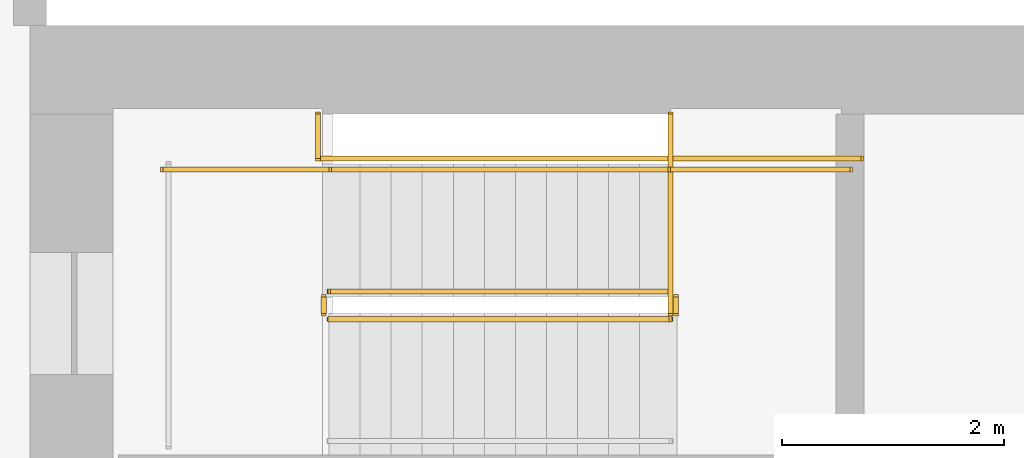
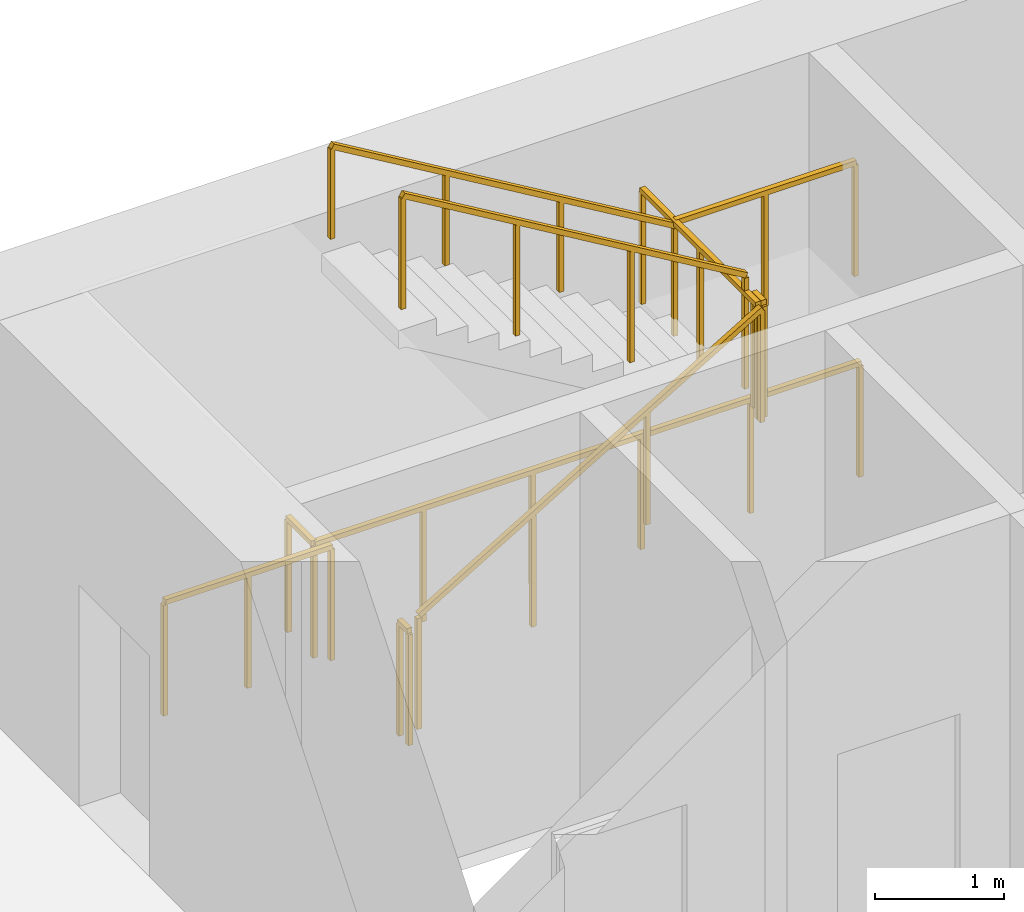
# One storey, part 12 of 12: 10 railings.
"""IFC4 building model written with IfcOpenShell, lengths in metres."""

from ifc_helpers import new_model, si_unit, direction, frame, origin, origin_2d, place, context, subcontext, project, spatial, rectangle, extrude, material, type_object, element, save


model = new_model("IFC4")

# Units and contexts
model_context = context("Model", 3, precision=1e-05, world=origin(), true_north=direction((0.0, 1.0)))
body_context = subcontext(model_context, "Body", "Model", "MODEL_VIEW")
ifc_project = project(units=[si_unit("LENGTHUNIT", "METRE"), si_unit("AREAUNIT", "SQUARE_METRE"), si_unit("VOLUMEUNIT", "CUBIC_METRE"), si_unit("PLANEANGLEUNIT", "RADIAN"), si_unit("MASSUNIT", "GRAM", prefix="KILO")], contexts=[model_context])

# Site, building, storey
site_placement = place(None, origin())
site = spatial("IfcSite", under=ifc_project, at=site_placement, CompositionType="ELEMENT")
building_placement = place(site_placement, origin())
building = spatial("IfcBuilding", under=site, at=building_placement, Name="Sennacour Bend Tower", CompositionType="ELEMENT")
storey_placement = place(building_placement, frame((0.0, 0.0, 257.0)))
storey = spatial("IfcBuildingStorey", under=building, at=storey_placement, Name="L59", CompositionType="ELEMENT", Elevation=257.0)

# Railings
ifc_material = material(Name="Stainless steel", Category="steel")
railing_type_1 = type_object("IfcRailingType", Name="RL-GUARD-1100", PredefinedType="GUARDRAIL", material=ifc_material)
railing_1_placement = place(storey_placement, frame((56.699951171875, 19.85009765625, 0.166748046875)))
element("IfcRailing", 1, at=railing_1_placement, inside=storey, type_object=railing_type_1, Name="L59 SA2 stair guard 1", PredefinedType="GUARDRAIL", context=body_context, shape_type="SweptSolid", body=[
    extrude(rectangle(XDim=0.048095703125, YDim=0.048095703125, at=origin_2d()), frame((0.0, 0.0, 1.076171875), z_axis=(0.859308565015, 0.0, 0.511457515432), x_axis=(0.0, 1.0, 0.0)), (0.0, 0.0, 1.0), 3.58447265625),
    extrude(rectangle(XDim=0.0419921875, YDim=0.0419921875, at=origin_2d()), origin(), (0.0, 0.0, 1.0), 1.052001953125),
    extrude(rectangle(XDim=0.0419921875, YDim=0.0419921875, at=origin_2d()), frame((1.026611328125, 0.0, 0.611083984375)), (0.0, 0.0, 1.0), 1.052001953125),
    extrude(rectangle(XDim=0.0419921875, YDim=0.0419921875, at=origin_2d()), frame((2.053466796875, 0.0, 1.22216796875)), (0.0, 0.0, 1.0), 1.052001953125),
    extrude(rectangle(XDim=0.0419921875, YDim=0.0419921875, at=origin_2d()), frame((3.080078125, 0.0, 1.833251953125)), (0.0, 0.0, 1.0), 1.052001953125),
])
railing_2_placement = place(storey_placement, frame((59.830078125, 19.89990234375, 2.0)))
element("IfcRailing", 2, at=railing_2_placement, inside=storey, type_object=railing_type_1, Name="L59 SA2 stair guard 2", PredefinedType="GUARDRAIL", context=body_context, shape_type="SweptSolid", body=[
    extrude(rectangle(XDim=0.048095703125, YDim=0.048095703125, at=origin_2d()), frame((0.0, 0.0, 1.076171875), z_axis=(0.0, 1.0, 0.0), x_axis=(-1.0, 0.0, 0.0)), (0.0, 0.0, 1.0), 0.150146484375),
    extrude(rectangle(XDim=0.0419921875, YDim=0.0419921875, at=origin_2d()), origin(), (0.0, 0.0, 1.0), 1.052001953125),
    extrude(rectangle(XDim=0.0419921875, YDim=0.0419921875, at=origin_2d()), frame((0.0, 0.150146484375, 0.0)), (0.0, 0.0, 1.0), 1.052001953125),
])
railing_3_placement = place(storey_placement, frame((59.780029296875, 21.199951171875, 2.0)))
element("IfcRailing", 3, at=railing_3_placement, inside=storey, type_object=railing_type_1, Name="L59 SA2 stair guard 3", PredefinedType="GUARDRAIL", context=body_context, shape_type="SweptSolid", body=[
    extrude(rectangle(XDim=0.048095703125, YDim=0.048095703125, at=origin_2d()), frame((0.0, 0.0, 1.076171875), z_axis=(1.0, 0.0, 0.0), x_axis=(0.0, 1.0, 0.0)), (0.0, 0.0, 1.0), 1.619873046875),
    extrude(rectangle(XDim=0.0419921875, YDim=0.0419921875, at=origin_2d()), origin(), (0.0, 0.0, 1.0), 1.052001953125),
    extrude(rectangle(XDim=0.0419921875, YDim=0.0419921875, at=origin_2d()), frame((0.81005859375, 0.0, 0.0)), (0.0, 0.0, 1.0), 1.052001953125),
    extrude(rectangle(XDim=0.0419921875, YDim=0.0419921875, at=origin_2d()), frame((1.619873046875, 0.0, 0.0)), (0.0, 0.0, 1.0), 1.052001953125),
])
railing_4_placement = place(storey_placement, frame((59.780029296875, 20.10009765625, 2.166748046875)))
element("IfcRailing", 4, at=railing_4_placement, inside=storey, type_object=railing_type_1, Name="L59 SA2 stair guard 4", PredefinedType="GUARDRAIL", context=body_context, shape_type="SweptSolid", body=[
    extrude(rectangle(XDim=0.048095703125, YDim=0.048095703125, at=origin_2d()), frame((0.0, 0.0, 1.076171875), z_axis=(-0.859308565015, 0.0, 0.511457515432), x_axis=(0.0, -1.0, 0.0)), (0.0, 0.0, 1.0), 3.58447265625),
    extrude(rectangle(XDim=0.0419921875, YDim=0.0419921875, at=origin_2d()), origin(), (0.0, 0.0, 1.0), 1.052001953125),
    extrude(rectangle(XDim=0.0419921875, YDim=0.0419921875, at=origin_2d()), frame((-1.026611328125, 0.0, 0.611083984375)), (0.0, 0.0, 1.0), 1.052001953125),
    extrude(rectangle(XDim=0.0419921875, YDim=0.0419921875, at=origin_2d()), frame((-2.053466796875, 0.0, 1.22216796875)), (0.0, 0.0, 1.0), 1.052001953125),
    extrude(rectangle(XDim=0.0419921875, YDim=0.0419921875, at=origin_2d()), frame((-3.080078125, 0.0, 1.833251953125)), (0.0, 0.0, 1.0), 1.052001953125),
])
railing_5_placement = place(storey_placement, frame((56.64990234375, 19.89990234375, 0.0)))
element("IfcRailing", 5, at=railing_5_placement, inside=storey, type_object=railing_type_1, Name="L59 SA2 stair guard 5", PredefinedType="GUARDRAIL", context=body_context, shape_type="SweptSolid", body=[
    extrude(rectangle(XDim=0.048095703125, YDim=0.048095703125, at=origin_2d()), frame((0.0, 0.0, 1.076171875), z_axis=(0.0, 1.0, 0.0), x_axis=(-1.0, 0.0, 0.0)), (0.0, 0.0, 1.0), 0.150146484375),
    extrude(rectangle(XDim=0.0419921875, YDim=0.0419921875, at=origin_2d()), origin(), (0.0, 0.0, 1.0), 1.052001953125),
    extrude(rectangle(XDim=0.0419921875, YDim=0.0419921875, at=origin_2d()), frame((0.0, 0.150146484375, 0.0)), (0.0, 0.0, 1.0), 1.052001953125),
])
railing_6_placement = place(storey_placement, frame((55.199951171875, 21.199951171875, 0.0)))
element("IfcRailing", 6, at=railing_6_placement, inside=storey, type_object=railing_type_1, Name="L59 SA2 stair guard 6", PredefinedType="GUARDRAIL", context=body_context, shape_type="SweptSolid", body=[
    extrude(rectangle(XDim=0.048095703125, YDim=0.048095703125, at=origin_2d()), frame((0.0, 0.0, 1.076171875), z_axis=(1.0, 0.0, 0.0), x_axis=(0.0, 1.0, 0.0)), (0.0, 0.0, 1.0), 1.5),
    extrude(rectangle(XDim=0.0419921875, YDim=0.0419921875, at=origin_2d()), origin(), (0.0, 0.0, 1.0), 1.052001953125),
    extrude(rectangle(XDim=0.0419921875, YDim=0.0419921875, at=origin_2d()), frame((0.75, 0.0, 0.0)), (0.0, 0.0, 1.0), 1.052001953125),
    extrude(rectangle(XDim=0.0419921875, YDim=0.0419921875, at=origin_2d()), frame((1.5, 0.0, 0.0)), (0.0, 0.0, 1.0), 1.052001953125),
])
railing_7_placement = place(storey_placement, frame((56.60009765625, 21.300048828125, 0.0)))
element("IfcRailing", 7, at=railing_7_placement, inside=storey, type_object=railing_type_1, Name="L59 SA2 stair guard 8", PredefinedType="GUARDRAIL", context=body_context, shape_type="SweptSolid", body=[
    extrude(rectangle(XDim=0.048095703125, YDim=0.048095703125, at=origin_2d()), frame((0.0, 0.0, 1.076171875), z_axis=(1.0, 0.0, 0.0), x_axis=(0.0, 1.0, 0.0)), (0.0, 0.0, 1.0), 4.89990234375),
    extrude(rectangle(XDim=0.0419921875, YDim=0.0419921875, at=origin_2d()), origin(), (0.0, 0.0, 1.0), 1.052001953125),
    extrude(rectangle(XDim=0.0419921875, YDim=0.0419921875, at=origin_2d()), frame((0.97998046875, 0.0, 0.0)), (0.0, 0.0, 1.0), 1.052001953125),
    extrude(rectangle(XDim=0.0419921875, YDim=0.0419921875, at=origin_2d()), frame((1.9599609375, 0.0, 0.0)), (0.0, 0.0, 1.0), 1.052001953125),
    extrude(rectangle(XDim=0.0419921875, YDim=0.0419921875, at=origin_2d()), frame((2.93994140625, 0.0, 0.0)), (0.0, 0.0, 1.0), 1.052001953125),
    extrude(rectangle(XDim=0.0419921875, YDim=0.0419921875, at=origin_2d()), frame((3.919921875, 0.0, 0.0)), (0.0, 0.0, 1.0), 1.052001953125),
    extrude(rectangle(XDim=0.0419921875, YDim=0.0419921875, at=origin_2d()), frame((4.89990234375, 0.0, 0.0)), (0.0, 0.0, 1.0), 1.052001953125),
])
railing_8_placement = place(storey_placement, frame((59.780029296875, 19.89990234375, 2.0)))
element("IfcRailing", 8, at=railing_8_placement, inside=storey, type_object=railing_type_1, Name="L59 SA2 landing edge guard 79", PredefinedType="GUARDRAIL", context=body_context, shape_type="SweptSolid", body=[
    extrude(rectangle(XDim=0.048095703125, YDim=0.048095703125, at=origin_2d()), frame((0.0, 0.0, 1.076171875), z_axis=(0.0, 1.0, 0.0), x_axis=(-1.0, 0.0, 0.0)), (0.0, 0.0, 1.0), 1.800048828125),
    extrude(rectangle(XDim=0.0419921875, YDim=0.0419921875, at=origin_2d()), origin(), (0.0, 0.0, 1.0), 1.052001953125),
    extrude(rectangle(XDim=0.0419921875, YDim=0.0419921875, at=origin_2d()), frame((0.0, 0.89990234375, 0.0)), (0.0, 0.0, 1.0), 1.052001953125),
    extrude(rectangle(XDim=0.0419921875, YDim=0.0419921875, at=origin_2d()), frame((0.0, 1.800048828125, 0.0)), (0.0, 0.0, 1.0), 1.052001953125),
])
railing_9_placement = place(storey_placement, frame((56.60009765625, 21.300048828125, 0.0)))
element("IfcRailing", 9, at=railing_9_placement, inside=storey, type_object=railing_type_1, Name="L59 SA2 landing edge guard 113", PredefinedType="GUARDRAIL", context=body_context, shape_type="SweptSolid", body=[
    extrude(rectangle(XDim=0.048095703125, YDim=0.048095703125, at=origin_2d()), frame((0.0, 0.0, 1.076171875), z_axis=(0.0, 1.0, 0.0), x_axis=(-1.0, 0.0, 0.0)), (0.0, 0.0, 1.0), 0.39990234375),
    extrude(rectangle(XDim=0.0419921875, YDim=0.0419921875, at=origin_2d()), origin(), (0.0, 0.0, 1.0), 1.052001953125),
    extrude(rectangle(XDim=0.0419921875, YDim=0.0419921875, at=origin_2d()), frame((0.0, 0.39990234375, 0.0)), (0.0, 0.0, 1.0), 1.052001953125),
])
railing_type_2 = type_object("IfcRailingType", Name="RL-HANDRAIL-900", PredefinedType="HANDRAIL", material=ifc_material)
railing_10_placement = place(storey_placement, frame((59.780029296875, 21.199951171875, 2.166748046875)))
element("IfcRailing", 10, at=railing_10_placement, inside=storey, type_object=railing_type_2, Name="L59 SA2 stair handrail 2", PredefinedType="HANDRAIL", context=body_context, shape_type="SweptSolid", body=[
    extrude(rectangle(XDim=0.048095703125, YDim=0.048095703125, at=origin_2d()), frame((0.0, 0.0, 0.8759765625), z_axis=(-0.859308565015, 0.0, 0.511457515432), x_axis=(0.0, -1.0, 0.0)), (0.0, 0.0, 1.0), 3.58447265625),
    extrude(rectangle(XDim=0.0419921875, YDim=0.0419921875, at=origin_2d()), origin(), (0.0, 0.0, 1.0), 0.851806640625),
    extrude(rectangle(XDim=0.0419921875, YDim=0.0419921875, at=origin_2d()), frame((-1.026611328125, 0.0, 0.611083984375)), (0.0, 0.0, 1.0), 0.851806640625),
    extrude(rectangle(XDim=0.0419921875, YDim=0.0419921875, at=origin_2d()), frame((-2.053466796875, 0.0, 1.22216796875)), (0.0, 0.0, 1.0), 0.851806640625),
    extrude(rectangle(XDim=0.0419921875, YDim=0.0419921875, at=origin_2d()), frame((-3.080078125, 0.0, 1.833251953125)), (0.0, 0.0, 1.0), 0.851806640625),
])

save(model, "model.ifc")
